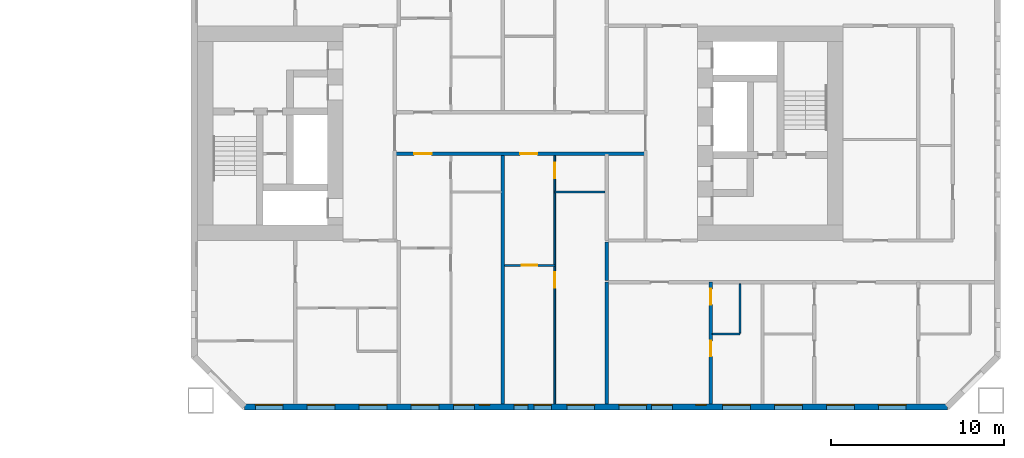
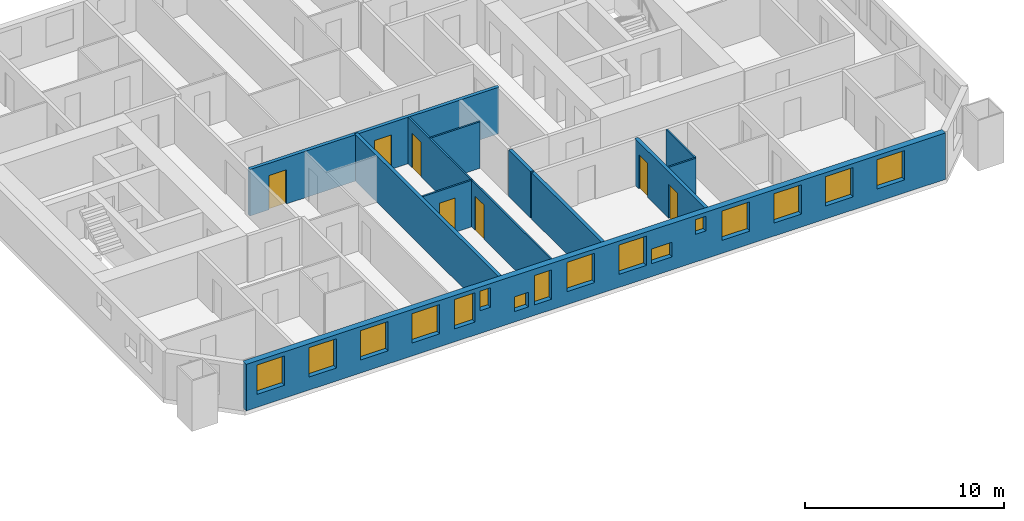
# One storey, part 12 of 18: 16 windows, 11 walls, 7 doors, 23 openings.
"""IFC4 building model written with IfcOpenShell, lengths in metres."""

from ifc_helpers import new_model, si_unit, direction, frame, frame_2d, origin, place, context, subcontext, project, spatial, rectangle, extrude, material, layer, layer_set, type_object, element, fill, save


model = new_model("IFC4")

# Units and contexts
model_context = context("Model", 3, precision=1e-05, world=origin(), true_north=direction((0.0, 1.0)))
body_context = subcontext(model_context, "Body", "Model", "MODEL_VIEW")
ifc_project = project(units=[si_unit("LENGTHUNIT", "METRE"), si_unit("AREAUNIT", "SQUARE_METRE"), si_unit("VOLUMEUNIT", "CUBIC_METRE"), si_unit("PLANEANGLEUNIT", "RADIAN"), si_unit("MASSUNIT", "GRAM", prefix="KILO")], contexts=[model_context])

# Site, building, storey
site_placement = place(None, origin())
site = spatial("IfcSite", under=ifc_project, at=site_placement, CompositionType="ELEMENT")
building_placement = place(site_placement, origin())
building = spatial("IfcBuilding", under=site, at=building_placement, Name="Tuart Gate Housing", CompositionType="ELEMENT")
storey_placement = place(building_placement, frame((0.0, 0.0, 31.89990234375)))
storey = spatial("IfcBuildingStorey", under=building, at=storey_placement, Name="L08", CompositionType="ELEMENT", Elevation=31.89990234375)

# Wall, openings, windows
ifc_material_1 = material(Name="Brick", Category="masonry")
ifc_layer_1 = layer(ifc_material_1, 0.360107421875)
ifc_layer_set_1 = layer_set([ifc_layer_1], Name="Brick pier and spandrel wall 360")
wall_type_1 = type_object("IfcWallType", Name="Brick pier and spandrel wall 360", PredefinedType="STANDARD", material=ifc_layer_set_1)
wall_1_placement = place(storey_placement, frame((134.07470703125, 54.179931640625, 0.0), z_axis=(0.0, 0.0, 1.0), x_axis=(1.0, 0.0, 0.0)))
wall_1 = element("IfcWall", 1, at=wall_1_placement, inside=storey, type_object=wall_type_1, Name="External wall B-S L08", PredefinedType="STANDARD", context=body_context, shape_type="SweptSolid", body=[
    extrude(rectangle(XDim=40.600830078125, YDim=0.360107421875, at=frame_2d((20.30029296875, 0.0))), origin(), (0.0, 0.0, 1.0), 2.85009765625),
])
opening_1_placement = place(wall_1_placement, frame((0.62548828125, 0.0, 0.800048828125)))
opening_1 = element("IfcOpeningElement", 2, at=opening_1_placement, cuts=wall_1, Name="Opening W1", PredefinedType="OPENING", context=body_context, shape_type="SweptSolid", body=[
    extrude(rectangle(XDim=1.60009765625, YDim=1.800048828125, at=frame_2d((0.800048828125, 0.89990234375))), frame((0.0, 0.18994140625, 0.0), z_axis=(0.0, -1.0, 0.0), x_axis=(1.0, 0.0, 0.0)), (0.0, 0.0, 1.0), 0.380126953125),
])
opening_2_placement = place(wall_1_placement, frame((3.62548828125, 0.0, 0.800048828125)))
opening_2 = element("IfcOpeningElement", 3, at=opening_2_placement, cuts=wall_1, Name="Opening W1", PredefinedType="OPENING", context=body_context, shape_type="SweptSolid", body=[
    extrude(rectangle(XDim=1.60009765625, YDim=1.800048828125, at=frame_2d((0.800048828125, 0.89990234375))), frame((0.0, 0.18994140625, 0.0), z_axis=(0.0, -1.0, 0.0), x_axis=(1.0, 0.0, 0.0)), (0.0, 0.0, 1.0), 0.380126953125),
])
opening_3_placement = place(wall_1_placement, frame((6.62548828125, 0.0, 0.800048828125)))
opening_3 = element("IfcOpeningElement", 4, at=opening_3_placement, cuts=wall_1, Name="Opening W1", PredefinedType="OPENING", context=body_context, shape_type="SweptSolid", body=[
    extrude(rectangle(XDim=1.60009765625, YDim=1.800048828125, at=frame_2d((0.800048828125, 0.89990234375))), frame((0.0, 0.18994140625, 0.0), z_axis=(0.0, -1.0, 0.0), x_axis=(1.0, 0.0, 0.0)), (0.0, 0.0, 1.0), 0.380126953125),
])
opening_4_placement = place(wall_1_placement, frame((9.62548828125, 0.0, 0.800048828125)))
opening_4 = element("IfcOpeningElement", 5, at=opening_4_placement, cuts=wall_1, Name="Opening W1", PredefinedType="OPENING", context=body_context, shape_type="SweptSolid", body=[
    extrude(rectangle(XDim=1.60009765625, YDim=1.800048828125, at=frame_2d((0.800048828125, 0.89990234375))), frame((0.0, 0.18994140625, 0.0), z_axis=(0.0, -1.0, 0.0), x_axis=(1.0, 0.0, 0.0)), (0.0, 0.0, 1.0), 0.380126953125),
])
opening_5_placement = place(wall_1_placement, frame((12.075439453125, 0.0, 0.800048828125)))
opening_5 = element("IfcOpeningElement", 6, at=opening_5_placement, cuts=wall_1, Name="Opening W1B", PredefinedType="OPENING", context=body_context, shape_type="SweptSolid", body=[
    extrude(rectangle(XDim=1.199951171875, YDim=1.800048828125, at=frame_2d((0.60009765625, 0.89990234375))), frame((0.0, 0.18994140625, 0.0), z_axis=(0.0, -1.0, 0.0), x_axis=(1.0, 0.0, 0.0)), (0.0, 0.0, 1.0), 0.380126953125),
])
opening_6_placement = place(wall_1_placement, frame((15.575439453125, 0.0, 0.64990234375)))
opening_6 = element("IfcOpeningElement", 7, at=opening_6_placement, cuts=wall_1, Name="Opening W1V", PredefinedType="OPENING", context=body_context, shape_type="SweptSolid", body=[
    extrude(rectangle(XDim=0.800048828125, YDim=0.89990234375, at=frame_2d((0.39990234375, 0.449951171875))), frame((0.0, 0.18994140625, 0.0), z_axis=(0.0, -1.0, 0.0), x_axis=(1.0, 0.0, 0.0)), (0.0, 0.0, 1.0), 0.380126953125),
])
opening_7_placement = place(wall_1_placement, frame((18.62548828125, 0.0, 0.800048828125)))
opening_7 = element("IfcOpeningElement", 8, at=opening_7_placement, cuts=wall_1, Name="Opening W1", PredefinedType="OPENING", context=body_context, shape_type="SweptSolid", body=[
    extrude(rectangle(XDim=1.60009765625, YDim=1.800048828125, at=frame_2d((0.800048828125, 0.89990234375))), frame((0.0, 0.18994140625, 0.0), z_axis=(0.0, -1.0, 0.0), x_axis=(1.0, 0.0, 0.0)), (0.0, 0.0, 1.0), 0.380126953125),
])
opening_8_placement = place(wall_1_placement, frame((21.62548828125, 0.0, 0.800048828125)))
opening_8 = element("IfcOpeningElement", 9, at=opening_8_placement, cuts=wall_1, Name="Opening W1", PredefinedType="OPENING", context=body_context, shape_type="SweptSolid", body=[
    extrude(rectangle(XDim=1.60009765625, YDim=1.800048828125, at=frame_2d((0.800048828125, 0.89990234375))), frame((0.0, 0.18994140625, 0.0), z_axis=(0.0, -1.0, 0.0), x_axis=(1.0, 0.0, 0.0)), (0.0, 0.0, 1.0), 0.380126953125),
])
opening_9_placement = place(wall_1_placement, frame((23.525390625, 0.0, 0.800048828125)))
opening_9 = element("IfcOpeningElement", 10, at=opening_9_placement, cuts=wall_1, Name="Opening W1T", PredefinedType="OPENING", context=body_context, shape_type="SweptSolid", body=[
    extrude(rectangle(XDim=1.199951171875, YDim=0.89990234375, at=frame_2d((0.60009765625, 0.449951171875))), frame((0.0, 0.18994140625, 0.0), z_axis=(0.0, -1.0, 0.0), x_axis=(1.0, 0.0, 0.0)), (0.0, 0.0, 1.0), 0.380126953125),
])
opening_10_placement = place(wall_1_placement, frame((27.62548828125, 0.0, 0.800048828125)))
opening_10 = element("IfcOpeningElement", 11, at=opening_10_placement, cuts=wall_1, Name="Opening W1", PredefinedType="OPENING", context=body_context, shape_type="SweptSolid", body=[
    extrude(rectangle(XDim=1.60009765625, YDim=1.800048828125, at=frame_2d((0.800048828125, 0.89990234375))), frame((0.0, 0.18994140625, 0.0), z_axis=(0.0, -1.0, 0.0), x_axis=(1.0, 0.0, 0.0)), (0.0, 0.0, 1.0), 0.380126953125),
])
opening_11_placement = place(wall_1_placement, frame((30.62548828125, 0.0, 0.800048828125)))
opening_11 = element("IfcOpeningElement", 12, at=opening_11_placement, cuts=wall_1, Name="Opening W1", PredefinedType="OPENING", context=body_context, shape_type="SweptSolid", body=[
    extrude(rectangle(XDim=1.60009765625, YDim=1.800048828125, at=frame_2d((0.800048828125, 0.89990234375))), frame((0.0, 0.18994140625, 0.0), z_axis=(0.0, -1.0, 0.0), x_axis=(1.0, 0.0, 0.0)), (0.0, 0.0, 1.0), 0.380126953125),
])
opening_12_placement = place(wall_1_placement, frame((33.62548828125, 0.0, 0.800048828125)))
opening_12 = element("IfcOpeningElement", 13, at=opening_12_placement, cuts=wall_1, Name="Opening W1", PredefinedType="OPENING", context=body_context, shape_type="SweptSolid", body=[
    extrude(rectangle(XDim=1.60009765625, YDim=1.800048828125, at=frame_2d((0.800048828125, 0.89990234375))), frame((0.0, 0.18994140625, 0.0), z_axis=(0.0, -1.0, 0.0), x_axis=(1.0, 0.0, 0.0)), (0.0, 0.0, 1.0), 0.380126953125),
])
opening_13_placement = place(wall_1_placement, frame((36.62548828125, 0.0, 0.800048828125)))
opening_13 = element("IfcOpeningElement", 14, at=opening_13_placement, cuts=wall_1, Name="Opening W1", PredefinedType="OPENING", context=body_context, shape_type="SweptSolid", body=[
    extrude(rectangle(XDim=1.60009765625, YDim=1.800048828125, at=frame_2d((0.800048828125, 0.89990234375))), frame((0.0, 0.18994140625, 0.0), z_axis=(0.0, -1.0, 0.0), x_axis=(1.0, 0.0, 0.0)), (0.0, 0.0, 1.0), 0.380126953125),
])
opening_14_placement = place(wall_1_placement, frame((13.575439453125, 0.0, 1.39990234375)))
opening_14 = element("IfcOpeningElement", 15, at=opening_14_placement, cuts=wall_1, Name="Opening W1Q", PredefinedType="OPENING", context=body_context, shape_type="SweptSolid", body=[
    extrude(rectangle(XDim=0.60009765625, YDim=1.199951171875, at=frame_2d((0.300048828125, 0.60009765625))), frame((0.0, 0.18994140625, 0.0), z_axis=(0.0, -1.0, 0.0), x_axis=(1.0, 0.0, 0.0)), (0.0, 0.0, 1.0), 0.380126953125),
])
opening_15_placement = place(wall_1_placement, frame((16.725341796875, 0.0, 0.64990234375)))
opening_15 = element("IfcOpeningElement", 16, at=opening_15_placement, cuts=wall_1, Name="Opening W1C", PredefinedType="OPENING", context=body_context, shape_type="SweptSolid", body=[
    extrude(rectangle(XDim=1.0, YDim=1.800048828125, at=frame_2d((0.5, 0.89990234375))), frame((0.0, 0.18994140625, 0.0), z_axis=(0.0, -1.0, 0.0), x_axis=(1.0, 0.0, 0.0)), (0.0, 0.0, 1.0), 0.380126953125),
])
opening_16_placement = place(wall_1_placement, frame((26.075439453125, 0.0, 1.699951171875)))
opening_16 = element("IfcOpeningElement", 17, at=opening_16_placement, cuts=wall_1, Name="Opening W1W", PredefinedType="OPENING", context=body_context, shape_type="SweptSolid", body=[
    extrude(rectangle(XDim=0.60009765625, YDim=0.89990234375, at=frame_2d((0.300048828125, 0.449951171875))), frame((0.0, 0.18994140625, 0.0), z_axis=(0.0, -1.0, 0.0), x_axis=(1.0, 0.0, 0.0)), (0.0, 0.0, 1.0), 0.380126953125),
])
ifc_material_2 = material(Name="Aluminium frame with clear glass", Category="aluminium")
window_type_1 = type_object("IfcWindowType", Name="Punched window 1000 x 1800", PartitioningType="SINGLE_PANEL", PredefinedType="WINDOW", material=ifc_material_2)
window_1_placement = place(opening_15_placement, origin())
window_1 = element("IfcWindow", 18, at=window_1_placement, inside=storey, type_object=window_type_1, Name="Window W1C", OverallHeight=1.800048828125, OverallWidth=1.0, PartitioningType="SINGLE_PANEL", PredefinedType="WINDOW", context=body_context, shape_type="SweptSolid", body=[
    extrude(rectangle(XDim=1.0, YDim=1.800048828125, at=frame_2d((0.5, 0.89990234375))), frame((0.0, 0.150146484375, 0.0), z_axis=(0.0, -1.0, 0.0), x_axis=(1.0, 0.0, 0.0)), (0.0, 0.0, 1.0), 0.06005859375),
])
fill(opening_15, window_1)
ifc_material_3 = material(Name="Aluminium frame with clear glass", Category="aluminium")
window_type_2 = type_object("IfcWindowType", Name="Punched window 1200 x 1800", PartitioningType="SINGLE_PANEL", PredefinedType="WINDOW", material=ifc_material_3)
window_2_placement = place(opening_5_placement, origin())
window_2 = element("IfcWindow", 19, at=window_2_placement, inside=storey, type_object=window_type_2, Name="Window W1B", OverallHeight=1.800048828125, OverallWidth=1.199951171875, PartitioningType="SINGLE_PANEL", PredefinedType="WINDOW", context=body_context, shape_type="SweptSolid", body=[
    extrude(rectangle(XDim=1.199951171875, YDim=1.800048828125, at=frame_2d((0.60009765625, 0.89990234375))), frame((0.0, 0.150146484375, 0.0), z_axis=(0.0, -1.0, 0.0), x_axis=(1.0, 0.0, 0.0)), (0.0, 0.0, 1.0), 0.06005859375),
])
fill(opening_5, window_2)
ifc_material_4 = material(Name="Aluminium frame with clear glass", Category="aluminium")
window_type_3 = type_object("IfcWindowType", Name="Punched window 1200 x 900", PartitioningType="SINGLE_PANEL", PredefinedType="WINDOW", material=ifc_material_4)
window_3_placement = place(opening_9_placement, origin())
window_3 = element("IfcWindow", 20, at=window_3_placement, inside=storey, type_object=window_type_3, Name="Window W1T", OverallHeight=0.89990234375, OverallWidth=1.199951171875, PartitioningType="SINGLE_PANEL", PredefinedType="WINDOW", context=body_context, shape_type="SweptSolid", body=[
    extrude(rectangle(XDim=1.199951171875, YDim=0.89990234375, at=frame_2d((0.60009765625, 0.449951171875))), frame((0.0, 0.150146484375, 0.0), z_axis=(0.0, -1.0, 0.0), x_axis=(1.0, 0.0, 0.0)), (0.0, 0.0, 1.0), 0.06005859375),
])
fill(opening_9, window_3)
ifc_material_5 = material(Name="Aluminium frame with clear glass", Category="aluminium")
window_type_4 = type_object("IfcWindowType", Name="Punched window 1600 x 1800", PartitioningType="SINGLE_PANEL", PredefinedType="WINDOW", material=ifc_material_5)
window_4_placement = place(opening_1_placement, origin())
window_4 = element("IfcWindow", 21, at=window_4_placement, inside=storey, type_object=window_type_4, Name="Window W1", OverallHeight=1.800048828125, OverallWidth=1.60009765625, PartitioningType="SINGLE_PANEL", PredefinedType="WINDOW", context=body_context, shape_type="SweptSolid", body=[
    extrude(rectangle(XDim=1.60009765625, YDim=1.800048828125, at=frame_2d((0.800048828125, 0.89990234375))), frame((0.0, 0.150146484375, 0.0), z_axis=(0.0, -1.0, 0.0), x_axis=(1.0, 0.0, 0.0)), (0.0, 0.0, 1.0), 0.06005859375),
])
fill(opening_1, window_4)
window_5_placement = place(opening_2_placement, origin())
window_5 = element("IfcWindow", 22, at=window_5_placement, inside=storey, type_object=window_type_4, Name="Window W1", OverallHeight=1.800048828125, OverallWidth=1.60009765625, PartitioningType="SINGLE_PANEL", PredefinedType="WINDOW", context=body_context, shape_type="SweptSolid", body=[
    extrude(rectangle(XDim=1.60009765625, YDim=1.800048828125, at=frame_2d((0.800048828125, 0.89990234375))), frame((0.0, 0.150146484375, 0.0), z_axis=(0.0, -1.0, 0.0), x_axis=(1.0, 0.0, 0.0)), (0.0, 0.0, 1.0), 0.06005859375),
])
fill(opening_2, window_5)
window_6_placement = place(opening_3_placement, origin())
window_6 = element("IfcWindow", 23, at=window_6_placement, inside=storey, type_object=window_type_4, Name="Window W1", OverallHeight=1.800048828125, OverallWidth=1.60009765625, PartitioningType="SINGLE_PANEL", PredefinedType="WINDOW", context=body_context, shape_type="SweptSolid", body=[
    extrude(rectangle(XDim=1.60009765625, YDim=1.800048828125, at=frame_2d((0.800048828125, 0.89990234375))), frame((0.0, 0.150146484375, 0.0), z_axis=(0.0, -1.0, 0.0), x_axis=(1.0, 0.0, 0.0)), (0.0, 0.0, 1.0), 0.06005859375),
])
fill(opening_3, window_6)
window_7_placement = place(opening_4_placement, origin())
window_7 = element("IfcWindow", 24, at=window_7_placement, inside=storey, type_object=window_type_4, Name="Window W1", OverallHeight=1.800048828125, OverallWidth=1.60009765625, PartitioningType="SINGLE_PANEL", PredefinedType="WINDOW", context=body_context, shape_type="SweptSolid", body=[
    extrude(rectangle(XDim=1.60009765625, YDim=1.800048828125, at=frame_2d((0.800048828125, 0.89990234375))), frame((0.0, 0.150146484375, 0.0), z_axis=(0.0, -1.0, 0.0), x_axis=(1.0, 0.0, 0.0)), (0.0, 0.0, 1.0), 0.06005859375),
])
fill(opening_4, window_7)
window_8_placement = place(opening_7_placement, origin())
window_8 = element("IfcWindow", 25, at=window_8_placement, inside=storey, type_object=window_type_4, Name="Window W1", OverallHeight=1.800048828125, OverallWidth=1.60009765625, PartitioningType="SINGLE_PANEL", PredefinedType="WINDOW", context=body_context, shape_type="SweptSolid", body=[
    extrude(rectangle(XDim=1.60009765625, YDim=1.800048828125, at=frame_2d((0.800048828125, 0.89990234375))), frame((0.0, 0.150146484375, 0.0), z_axis=(0.0, -1.0, 0.0), x_axis=(1.0, 0.0, 0.0)), (0.0, 0.0, 1.0), 0.06005859375),
])
fill(opening_7, window_8)
window_9_placement = place(opening_8_placement, origin())
window_9 = element("IfcWindow", 26, at=window_9_placement, inside=storey, type_object=window_type_4, Name="Window W1", OverallHeight=1.800048828125, OverallWidth=1.60009765625, PartitioningType="SINGLE_PANEL", PredefinedType="WINDOW", context=body_context, shape_type="SweptSolid", body=[
    extrude(rectangle(XDim=1.60009765625, YDim=1.800048828125, at=frame_2d((0.800048828125, 0.89990234375))), frame((0.0, 0.150146484375, 0.0), z_axis=(0.0, -1.0, 0.0), x_axis=(1.0, 0.0, 0.0)), (0.0, 0.0, 1.0), 0.06005859375),
])
fill(opening_8, window_9)
window_10_placement = place(opening_10_placement, origin())
window_10 = element("IfcWindow", 27, at=window_10_placement, inside=storey, type_object=window_type_4, Name="Window W1", OverallHeight=1.800048828125, OverallWidth=1.60009765625, PartitioningType="SINGLE_PANEL", PredefinedType="WINDOW", context=body_context, shape_type="SweptSolid", body=[
    extrude(rectangle(XDim=1.60009765625, YDim=1.800048828125, at=frame_2d((0.800048828125, 0.89990234375))), frame((0.0, 0.150146484375, 0.0), z_axis=(0.0, -1.0, 0.0), x_axis=(1.0, 0.0, 0.0)), (0.0, 0.0, 1.0), 0.06005859375),
])
fill(opening_10, window_10)
window_11_placement = place(opening_11_placement, origin())
window_11 = element("IfcWindow", 28, at=window_11_placement, inside=storey, type_object=window_type_4, Name="Window W1", OverallHeight=1.800048828125, OverallWidth=1.60009765625, PartitioningType="SINGLE_PANEL", PredefinedType="WINDOW", context=body_context, shape_type="SweptSolid", body=[
    extrude(rectangle(XDim=1.60009765625, YDim=1.800048828125, at=frame_2d((0.800048828125, 0.89990234375))), frame((0.0, 0.150146484375, 0.0), z_axis=(0.0, -1.0, 0.0), x_axis=(1.0, 0.0, 0.0)), (0.0, 0.0, 1.0), 0.06005859375),
])
fill(opening_11, window_11)
window_12_placement = place(opening_12_placement, origin())
window_12 = element("IfcWindow", 29, at=window_12_placement, inside=storey, type_object=window_type_4, Name="Window W1", OverallHeight=1.800048828125, OverallWidth=1.60009765625, PartitioningType="SINGLE_PANEL", PredefinedType="WINDOW", context=body_context, shape_type="SweptSolid", body=[
    extrude(rectangle(XDim=1.60009765625, YDim=1.800048828125, at=frame_2d((0.800048828125, 0.89990234375))), frame((0.0, 0.150146484375, 0.0), z_axis=(0.0, -1.0, 0.0), x_axis=(1.0, 0.0, 0.0)), (0.0, 0.0, 1.0), 0.06005859375),
])
fill(opening_12, window_12)
window_13_placement = place(opening_13_placement, origin())
window_13 = element("IfcWindow", 30, at=window_13_placement, inside=storey, type_object=window_type_4, Name="Window W1", OverallHeight=1.800048828125, OverallWidth=1.60009765625, PartitioningType="SINGLE_PANEL", PredefinedType="WINDOW", context=body_context, shape_type="SweptSolid", body=[
    extrude(rectangle(XDim=1.60009765625, YDim=1.800048828125, at=frame_2d((0.800048828125, 0.89990234375))), frame((0.0, 0.150146484375, 0.0), z_axis=(0.0, -1.0, 0.0), x_axis=(1.0, 0.0, 0.0)), (0.0, 0.0, 1.0), 0.06005859375),
])
fill(opening_13, window_13)
ifc_material_6 = material(Name="Aluminium frame with clear glass", Category="aluminium")
window_type_5 = type_object("IfcWindowType", Name="Punched window 600 x 1200", PartitioningType="SINGLE_PANEL", PredefinedType="WINDOW", material=ifc_material_6)
window_14_placement = place(opening_14_placement, origin())
window_14 = element("IfcWindow", 31, at=window_14_placement, inside=storey, type_object=window_type_5, Name="Window W1Q", OverallHeight=1.199951171875, OverallWidth=0.60009765625, PartitioningType="SINGLE_PANEL", PredefinedType="WINDOW", context=body_context, shape_type="SweptSolid", body=[
    extrude(rectangle(XDim=0.60009765625, YDim=1.199951171875, at=frame_2d((0.300048828125, 0.60009765625))), frame((0.0, 0.150146484375, 0.0), z_axis=(0.0, -1.0, 0.0), x_axis=(1.0, 0.0, 0.0)), (0.0, 0.0, 1.0), 0.06005859375),
])
fill(opening_14, window_14)
ifc_material_7 = material(Name="Aluminium frame with clear glass", Category="aluminium")
window_type_6 = type_object("IfcWindowType", Name="Punched window 600 x 900", PartitioningType="SINGLE_PANEL", PredefinedType="WINDOW", material=ifc_material_7)
window_15_placement = place(opening_16_placement, origin())
window_15 = element("IfcWindow", 32, at=window_15_placement, inside=storey, type_object=window_type_6, Name="Window W1W", OverallHeight=0.89990234375, OverallWidth=0.60009765625, PartitioningType="SINGLE_PANEL", PredefinedType="WINDOW", context=body_context, shape_type="SweptSolid", body=[
    extrude(rectangle(XDim=0.60009765625, YDim=0.89990234375, at=frame_2d((0.300048828125, 0.449951171875))), frame((0.0, 0.150146484375, 0.0), z_axis=(0.0, -1.0, 0.0), x_axis=(1.0, 0.0, 0.0)), (0.0, 0.0, 1.0), 0.06005859375),
])
fill(opening_16, window_15)
ifc_material_8 = material(Name="Aluminium frame with clear glass", Category="aluminium")
window_type_7 = type_object("IfcWindowType", Name="Punched window 800 x 900", PartitioningType="SINGLE_PANEL", PredefinedType="WINDOW", material=ifc_material_8)
window_16_placement = place(opening_6_placement, origin())
window_16 = element("IfcWindow", 33, at=window_16_placement, inside=storey, type_object=window_type_7, Name="Window W1V", OverallHeight=0.89990234375, OverallWidth=0.800048828125, PartitioningType="SINGLE_PANEL", PredefinedType="WINDOW", context=body_context, shape_type="SweptSolid", body=[
    extrude(rectangle(XDim=0.800048828125, YDim=0.89990234375, at=frame_2d((0.39990234375, 0.449951171875))), frame((0.0, 0.150146484375, 0.0), z_axis=(0.0, -1.0, 0.0), x_axis=(1.0, 0.0, 0.0)), (0.0, 0.0, 1.0), 0.06005859375),
])
fill(opening_6, window_16)

# Wall, openings, doors
ifc_material_9 = material(Name="Concrete masonry 15 MPa", Category="masonry")
ifc_layer_2 = layer(ifc_material_9, 0.199951171875)
ifc_layer_set_2 = layer_set([ifc_layer_2], Name="Corridor wall masonry 200")
wall_type_2 = type_object("IfcWallType", Name="Corridor wall masonry 200", PredefinedType="PARTITIONING", material=ifc_layer_set_2)
wall_2_placement = place(storey_placement, frame((142.760009765625, 68.800048828125, 0.0), z_axis=(0.0, 0.0, 1.0), x_axis=(1.0, 0.0, 0.0)))
wall_2 = element("IfcWall", 34, at=wall_2_placement, inside=storey, type_object=wall_type_2, Name="Corridor wall masonry 200", PredefinedType="PARTITIONING", context=body_context, shape_type="SweptSolid", body=[
    extrude(rectangle(XDim=14.47998046875, YDim=0.199951171875, at=frame_2d((7.239990234375, 0.0))), origin(), (0.0, 0.0, 1.0), 2.85009765625),
])
opening_17_placement = place(wall_2_placement, frame((1.1201171875, 0.0, 0.0)))
opening_17 = element("IfcOpeningElement", 35, at=opening_17_placement, cuts=wall_2, Name="Opening D565", PredefinedType="OPENING", context=body_context, shape_type="SweptSolid", body=[
    extrude(rectangle(XDim=1.0, YDim=2.10009765625, at=frame_2d((0.5, 1.050048828125))), frame((0.0, 0.10986328125, 0.0), z_axis=(0.0, -1.0, 0.0), x_axis=(1.0, 0.0, 0.0)), (0.0, 0.0, 1.0), 0.219970703125),
])
opening_18_placement = place(wall_2_placement, frame((7.239990234375, 0.0, 0.0)))
opening_18 = element("IfcOpeningElement", 36, at=opening_18_placement, cuts=wall_2, Name="Opening D566", PredefinedType="OPENING", context=body_context, shape_type="SweptSolid", body=[
    extrude(rectangle(XDim=1.0, YDim=2.10009765625, at=frame_2d((0.5, 1.050048828125))), frame((0.0, 0.10986328125, 0.0), z_axis=(0.0, -1.0, 0.0), x_axis=(1.0, 0.0, 0.0)), (0.0, 0.0, 1.0), 0.219970703125),
])
ifc_material_10 = material(Name="Timber door leaf in steel frame", Category="steel")
door_type_1 = type_object("IfcDoorType", Name="Flat entrance door 1000 RH", OperationType="SINGLE_SWING_RIGHT", PredefinedType="DOOR", material=ifc_material_10)
door_1_placement = place(opening_17_placement, frame((1.0, 0.0, 0.0), z_axis=(0.0, 0.0, 1.0), x_axis=(-1.0, 0.0, 0.0)))
door_1 = element("IfcDoor", 37, at=door_1_placement, inside=storey, type_object=door_type_1, Name="Flat entrance door", OperationType="SINGLE_SWING_RIGHT", OverallHeight=2.10009765625, OverallWidth=1.0, PredefinedType="DOOR", context=body_context, shape_type="SweptSolid", body=[
    extrude(rectangle(XDim=1.0, YDim=2.10009765625, at=frame_2d((0.5, 1.050048828125))), frame((0.0, 0.025146484375, 0.0), z_axis=(0.0, -1.0, 0.0), x_axis=(1.0, 0.0, 0.0)), (0.0, 0.0, 1.0), 0.050048828125),
])
fill(opening_17, door_1)
door_2_placement = place(opening_18_placement, frame((1.0, 0.0, 0.0), z_axis=(0.0, 0.0, 1.0), x_axis=(-1.0, 0.0, 0.0)))
door_2 = element("IfcDoor", 38, at=door_2_placement, inside=storey, type_object=door_type_1, Name="Flat entrance door", OperationType="SINGLE_SWING_RIGHT", OverallHeight=2.10009765625, OverallWidth=1.0, PredefinedType="DOOR", context=body_context, shape_type="SweptSolid", body=[
    extrude(rectangle(XDim=1.0, YDim=2.10009765625, at=frame_2d((0.5, 1.050048828125))), frame((0.0, 0.025146484375, 0.0), z_axis=(0.0, -1.0, 0.0), x_axis=(1.0, 0.0, 0.0)), (0.0, 0.0, 1.0), 0.050048828125),
])
fill(opening_18, door_2)

# Walls
wall_3_placement = place(storey_placement, frame((155.0, 61.5, 0.0), z_axis=(0.0, 0.0, 1.0), x_axis=(0.0, 1.0, 0.0)))
element("IfcWall", 39, at=wall_3_placement, inside=storey, type_object=wall_type_2, Name="Corridor wall masonry 200", PredefinedType="PARTITIONING", context=body_context, shape_type="SweptSolid", body=[
    extrude(rectangle(XDim=2.199951171875, YDim=0.199951171875, at=frame_2d((1.10009765625, 0.0))), origin(), (0.0, 0.0, 1.0), 2.85009765625),
])
ifc_material_11 = material(Name="Gypsum board on steel studs", Category="steel")
ifc_layer_3 = layer(ifc_material_11, 0.10009765625)
ifc_layer_set_3 = layer_set([ifc_layer_3], Name="Partition 100")
wall_type_3 = type_object("IfcWallType", Name="Partition 100", PredefinedType="PARTITIONING", material=ifc_layer_set_3)
wall_4_placement = place(storey_placement, frame((161.10009765625, 58.39990234375, 0.0), z_axis=(0.0, 0.0, 1.0), x_axis=(1.0, 0.0, 0.0)))
element("IfcWall", 40, at=wall_4_placement, inside=storey, type_object=wall_type_3, Name="Partition 100", PredefinedType="PARTITIONING", context=body_context, shape_type="SweptSolid", body=[
    extrude(rectangle(XDim=1.599853515625, YDim=0.10009765625, at=frame_2d((0.7998046875, 0.0))), origin(), (0.0, 0.0, 1.0), 2.85009765625),
])

# Wall, opening, door
wall_5_placement = place(storey_placement, frame((149.10009765625, 62.360107421875, 0.0), z_axis=(0.0, 0.0, 1.0), x_axis=(1.0, 0.0, 0.0)))
wall_5 = element("IfcWall", 41, at=wall_5_placement, inside=storey, type_object=wall_type_3, Name="Partition 100", PredefinedType="PARTITIONING", context=body_context, shape_type="SweptSolid", body=[
    extrude(rectangle(XDim=2.89990234375, YDim=0.10009765625, at=frame_2d((1.449951171875, 0.0))), origin(), (0.0, 0.0, 1.0), 2.85009765625),
])
opening_19_placement = place(wall_5_placement, frame((1.0, 0.0, 0.0)))
opening_19 = element("IfcOpeningElement", 42, at=opening_19_placement, cuts=wall_5, Name="Opening D573", PredefinedType="OPENING", context=body_context, shape_type="SweptSolid", body=[
    extrude(rectangle(XDim=0.89990234375, YDim=2.10009765625, at=frame_2d((0.449951171875, 1.050048828125))), frame((0.0, 0.06005859375, 0.0), z_axis=(0.0, -1.0, 0.0), x_axis=(1.0, 0.0, 0.0)), (0.0, 0.0, 1.0), 0.1201171875),
])
ifc_material_12 = material(Name="Timber door leaf in steel frame", Category="steel")
door_type_2 = type_object("IfcDoorType", Name="Internal door 900 RH", OperationType="SINGLE_SWING_RIGHT", PredefinedType="DOOR", material=ifc_material_12)
door_3_placement = place(opening_19_placement, origin())
door_3 = element("IfcDoor", 43, at=door_3_placement, inside=storey, type_object=door_type_2, Name="Internal door", OperationType="SINGLE_SWING_RIGHT", OverallHeight=2.10009765625, OverallWidth=0.89990234375, PredefinedType="DOOR", context=body_context, shape_type="SweptSolid", body=[
    extrude(rectangle(XDim=0.89990234375, YDim=2.10009765625, at=frame_2d((0.449951171875, 1.050048828125))), frame((0.0, 0.02490234375, 0.0), z_axis=(0.0, -1.0, 0.0), x_axis=(1.0, 0.0, 0.0)), (0.0, 0.0, 1.0), 0.050048828125),
])
fill(opening_19, door_3)

# Wall
wall_6_placement = place(storey_placement, frame((152.0, 66.60009765625, 0.0), z_axis=(0.0, 0.0, 1.0), x_axis=(1.0, 0.0, 0.0)))
element("IfcWall", 44, at=wall_6_placement, inside=storey, type_object=wall_type_3, Name="Partition 100", PredefinedType="PARTITIONING", context=body_context, shape_type="SweptSolid", body=[
    extrude(rectangle(XDim=2.89990234375, YDim=0.10009765625, at=frame_2d((1.449951171875, 0.0))), origin(), (0.0, 0.0, 1.0), 2.85009765625),
])

# Wall, openings, doors
wall_7_placement = place(storey_placement, frame((152.0, 54.360107421875, 0.0), z_axis=(0.0, 0.0, 1.0), x_axis=(0.0, 1.0, 0.0)))
wall_7 = element("IfcWall", 45, at=wall_7_placement, inside=storey, type_object=wall_type_3, Name="Partition 100", PredefinedType="PARTITIONING", context=body_context, shape_type="SweptSolid", body=[
    extrude(rectangle(XDim=14.33984375, YDim=0.10009765625, at=frame_2d((7.169921875, 0.0))), origin(), (0.0, 0.0, 1.0), 2.85009765625),
])
opening_20_placement = place(wall_7_placement, frame((6.699951171875, 0.0, 0.0)))
opening_20 = element("IfcOpeningElement", 46, at=opening_20_placement, cuts=wall_7, Name="Opening D577", PredefinedType="OPENING", context=body_context, shape_type="SweptSolid", body=[
    extrude(rectangle(XDim=0.89990234375, YDim=2.10009765625, at=frame_2d((0.449951171875, 1.050048828125))), frame((0.0, 0.06005859375, 0.0), z_axis=(0.0, -1.0, 0.0), x_axis=(1.0, 0.0, 0.0)), (0.0, 0.0, 1.0), 0.1201171875),
])
opening_21_placement = place(wall_7_placement, frame((13.0400390625, 0.0, 0.0)))
opening_21 = element("IfcOpeningElement", 47, at=opening_21_placement, cuts=wall_7, Name="Opening D576", PredefinedType="OPENING", context=body_context, shape_type="SweptSolid", body=[
    extrude(rectangle(XDim=0.89990234375, YDim=2.10009765625, at=frame_2d((0.449951171875, 1.050048828125))), frame((0.0, 0.06005859375, 0.0), z_axis=(0.0, -1.0, 0.0), x_axis=(1.0, 0.0, 0.0)), (0.0, 0.0, 1.0), 0.1201171875),
])
ifc_material_13 = material(Name="Timber door leaf in steel frame", Category="steel")
door_type_3 = type_object("IfcDoorType", Name="Bathroom door 900", OperationType="SINGLE_SWING_LEFT", PredefinedType="DOOR", material=ifc_material_13)
door_4_placement = place(opening_21_placement, frame((0.89990234375, 0.0, 0.0), z_axis=(0.0, 0.0, 1.0), x_axis=(-1.0, 0.0, 0.0)))
door_4 = element("IfcDoor", 48, at=door_4_placement, inside=storey, type_object=door_type_3, Name="Bathroom door", OperationType="SINGLE_SWING_LEFT", OverallHeight=2.10009765625, OverallWidth=0.89990234375, PredefinedType="DOOR", context=body_context, shape_type="SweptSolid", body=[
    extrude(rectangle(XDim=0.89990234375, YDim=2.10009765625, at=frame_2d((0.449951171875, 1.050048828125))), frame((0.0, 0.025146484375, 0.0), z_axis=(0.0, -1.0, 0.0), x_axis=(1.0, 0.0, 0.0)), (0.0, 0.0, 1.0), 0.050048828125),
])
fill(opening_21, door_4)
ifc_material_14 = material(Name="Timber door leaf in steel frame", Category="steel")
door_type_4 = type_object("IfcDoorType", Name="Internal door 900", OperationType="SINGLE_SWING_LEFT", PredefinedType="DOOR", material=ifc_material_14)
door_5_placement = place(opening_20_placement, frame((0.89990234375, 0.0, 0.0), z_axis=(0.0, 0.0, 1.0), x_axis=(-1.0, 0.0, 0.0)))
door_5 = element("IfcDoor", 49, at=door_5_placement, inside=storey, type_object=door_type_4, Name="Internal door", OperationType="SINGLE_SWING_LEFT", OverallHeight=2.10009765625, OverallWidth=0.89990234375, PredefinedType="DOOR", context=body_context, shape_type="SweptSolid", body=[
    extrude(rectangle(XDim=0.89990234375, YDim=2.10009765625, at=frame_2d((0.449951171875, 1.050048828125))), frame((0.0, 0.025146484375, 0.0), z_axis=(0.0, -1.0, 0.0), x_axis=(1.0, 0.0, 0.0)), (0.0, 0.0, 1.0), 0.050048828125),
])
fill(opening_20, door_5)

# Walls
wall_8_placement = place(storey_placement, frame((162.699951171875, 58.449951171875, 0.0), z_axis=(0.0, 0.0, 1.0), x_axis=(0.0, 1.0, 0.0)))
element("IfcWall", 50, at=wall_8_placement, inside=storey, type_object=wall_type_3, Name="Partition 100", PredefinedType="PARTITIONING", context=body_context, shape_type="SweptSolid", body=[
    extrude(rectangle(XDim=2.85009765625, YDim=0.10009765625, at=frame_2d((1.425048828125, 0.0))), origin(), (0.0, 0.0, 1.0), 2.85009765625),
])
ifc_material_15 = material(Name="Concrete C40", Category="concrete")
ifc_layer_4 = layer(ifc_material_15, 0.199951171875)
ifc_layer_set_4 = layer_set([ifc_layer_4], Name="Party wall concrete C40 200")
wall_type_4 = type_object("IfcWallType", Name="Party wall concrete C40 200", PredefinedType="SOLIDWALL", material=ifc_layer_set_4)
wall_9_placement = place(storey_placement, frame((149.0, 54.360107421875, 0.0), z_axis=(0.0, 0.0, 1.0), x_axis=(0.0, 1.0, 0.0)))
element("IfcWall", 51, at=wall_9_placement, inside=storey, type_object=wall_type_4, Name="Party wall concrete C40 200", PredefinedType="SOLIDWALL", context=body_context, shape_type="SweptSolid", body=[
    extrude(rectangle(XDim=14.43994140625, YDim=0.199951171875, at=frame_2d((7.219970703125, 0.0))), origin(), (0.0, 0.0, 1.0), 2.85009765625),
])
wall_10_placement = place(storey_placement, frame((155.0, 54.360107421875, 0.0), z_axis=(0.0, 0.0, 1.0), x_axis=(0.0, 1.0, 0.0)))
element("IfcWall", 52, at=wall_10_placement, inside=storey, type_object=wall_type_4, Name="Party wall concrete C40 200", PredefinedType="SOLIDWALL", context=body_context, shape_type="SweptSolid", body=[
    extrude(rectangle(XDim=7.039794921875, YDim=0.199951171875, at=frame_2d((3.52001953125, 0.0))), origin(), (0.0, 0.0, 1.0), 2.85009765625),
])

# Wall, openings, doors
wall_11_placement = place(storey_placement, frame((161.0, 54.360107421875, 0.0), z_axis=(0.0, 0.0, 1.0), x_axis=(0.0, 1.0, 0.0)))
wall_11 = element("IfcWall", 53, at=wall_11_placement, inside=storey, type_object=wall_type_4, Name="Party wall concrete C40 200", PredefinedType="SOLIDWALL", context=body_context, shape_type="SweptSolid", body=[
    extrude(rectangle(XDim=7.039794921875, YDim=0.199951171875, at=frame_2d((3.52001953125, 0.0))), origin(), (0.0, 0.0, 1.0), 2.85009765625),
])
opening_22_placement = place(wall_11_placement, frame((2.739990234375, 0.0, 0.0)))
opening_22 = element("IfcOpeningElement", 54, at=opening_22_placement, cuts=wall_11, Name="Opening D585", PredefinedType="OPENING", context=body_context, shape_type="SweptSolid", body=[
    extrude(rectangle(XDim=0.89990234375, YDim=2.10009765625, at=frame_2d((0.449951171875, 1.050048828125))), frame((0.0, 0.10986328125, 0.0), z_axis=(0.0, -1.0, 0.0), x_axis=(1.0, 0.0, 0.0)), (0.0, 0.0, 1.0), 0.219970703125),
])
opening_23_placement = place(wall_11_placement, frame((5.739990234375, 0.0, 0.0)))
opening_23 = element("IfcOpeningElement", 55, at=opening_23_placement, cuts=wall_11, Name="Opening D584", PredefinedType="OPENING", context=body_context, shape_type="SweptSolid", body=[
    extrude(rectangle(XDim=0.89990234375, YDim=2.10009765625, at=frame_2d((0.449951171875, 1.050048828125))), frame((0.0, 0.10986328125, 0.0), z_axis=(0.0, -1.0, 0.0), x_axis=(1.0, 0.0, 0.0)), (0.0, 0.0, 1.0), 0.219970703125),
])
door_6_placement = place(opening_23_placement, frame((0.89990234375, 0.0, 0.0), z_axis=(0.0, 0.0, 1.0), x_axis=(-1.0, 0.0, 0.0)))
door_6 = element("IfcDoor", 56, at=door_6_placement, inside=storey, type_object=door_type_3, Name="Bathroom door", OperationType="SINGLE_SWING_LEFT", OverallHeight=2.10009765625, OverallWidth=0.89990234375, PredefinedType="DOOR", context=body_context, shape_type="SweptSolid", body=[
    extrude(rectangle(XDim=0.89990234375, YDim=2.10009765625, at=frame_2d((0.449951171875, 1.050048828125))), frame((0.0, 0.025146484375, 0.0), z_axis=(0.0, -1.0, 0.0), x_axis=(1.0, 0.0, 0.0)), (0.0, 0.0, 1.0), 0.050048828125),
])
fill(opening_23, door_6)
door_7_placement = place(opening_22_placement, frame((0.89990234375, 0.0, 0.0), z_axis=(0.0, 0.0, 1.0), x_axis=(-1.0, 0.0, 0.0)))
door_7 = element("IfcDoor", 57, at=door_7_placement, inside=storey, type_object=door_type_4, Name="Internal door", OperationType="SINGLE_SWING_LEFT", OverallHeight=2.10009765625, OverallWidth=0.89990234375, PredefinedType="DOOR", context=body_context, shape_type="SweptSolid", body=[
    extrude(rectangle(XDim=0.89990234375, YDim=2.10009765625, at=frame_2d((0.449951171875, 1.050048828125))), frame((0.0, 0.025146484375, 0.0), z_axis=(0.0, -1.0, 0.0), x_axis=(1.0, 0.0, 0.0)), (0.0, 0.0, 1.0), 0.050048828125),
])
fill(opening_22, door_7)

save(model, "model.ifc")
